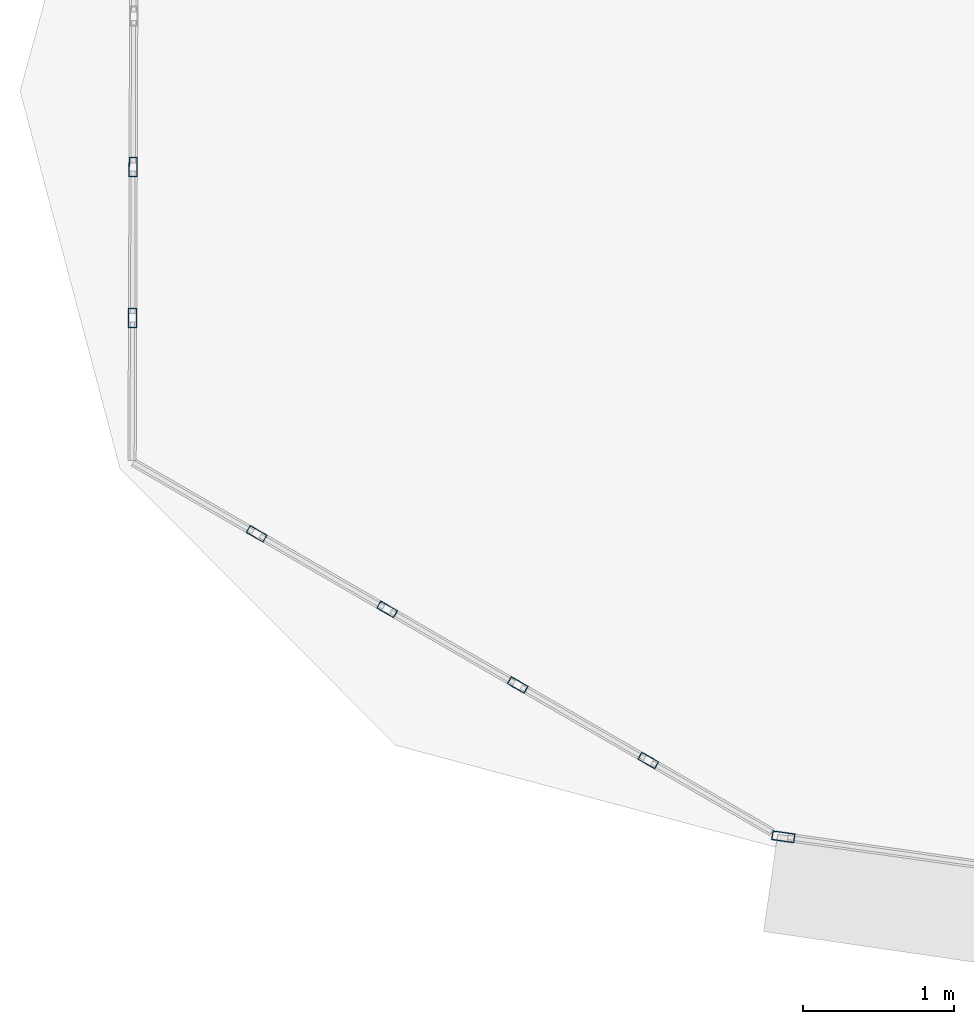
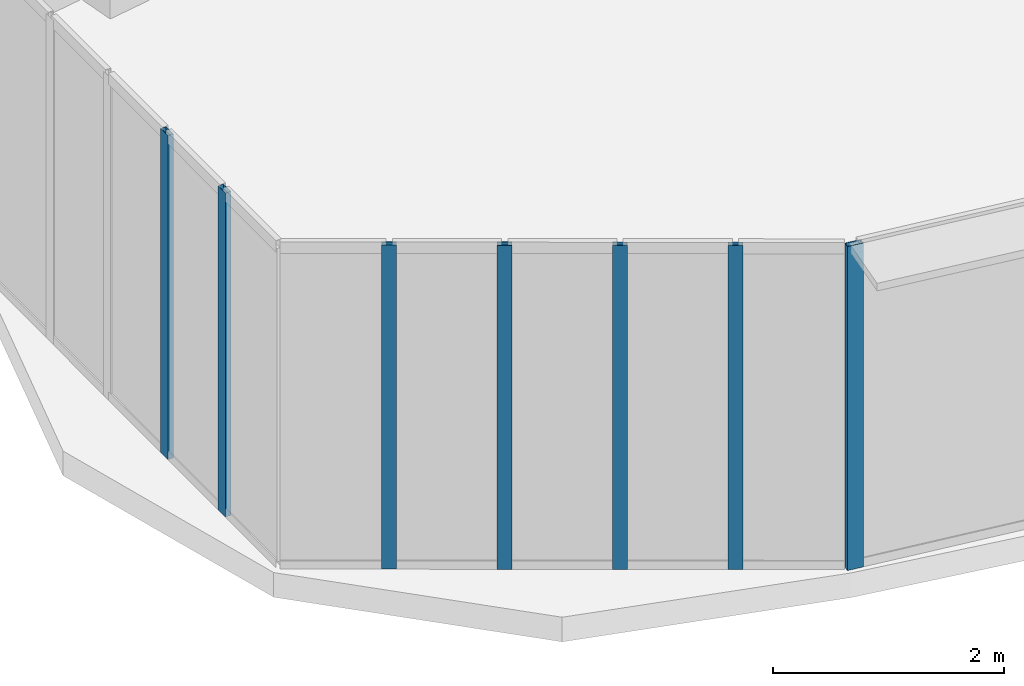
# One storey, part 2 of 42: 7 members, 3 elements without a shape of their own.
"""IFC4 building model written with IfcOpenShell, lengths in metres."""

import ifcopenshell
import ifcopenshell.guid

model = None  # the IFC model being written
_history = None  # IfcOwnerHistory: only IFC2X3 demands one
_inside = {}  # id of a spatial element -> (the spatial element, [elements in it])
_under = {}  # id of a project, library or spatial element -> (it, [spatial elements below it])
_declared = {}  # id of a project -> (the project, [libraries it declares])
_typed = {}  # id of a type object -> (the type object, [elements of that type])
_made_of = {}  # id of a material, layer set ... -> (it, [elements and type objects made of it])


def new_model(schema):
    """Start an empty IFC model of exactly this schema.

    Asked for "IFC4X3", IfcOpenShell would pick the latest addendum, in which some entities
    have other attributes; the version numbers below select the first issue.
    IFC2X3 requires an IfcOwnerHistory on every rooted entity: one is made here for all.
    """
    global model, _history
    if schema == "IFC4X3":
        model = ifcopenshell.file(schema_version=(4, 3, 0, 0))
    else:
        model = ifcopenshell.file(schema=schema)
    _inside.clear()
    _under.clear()
    _declared.clear()
    _typed.clear()
    _made_of.clear()
    _history = None
    if model.schema == "IFC2X3":
        org = make("IfcOrganization", Name="unknown")
        user = make(
            "IfcPersonAndOrganization",
            ThePerson=make("IfcPerson", FamilyName="unknown"),
            TheOrganization=org,
        )
        app = make(
            "IfcApplication",
            ApplicationDeveloper=org,
            Version="unknown",
            ApplicationFullName="unknown",
            ApplicationIdentifier="unknown",
        )
        _history = make(
            "IfcOwnerHistory",
            OwningUser=user,
            OwningApplication=app,
            ChangeAction="ADDED",
            CreationDate=0,
        )
    return model


def make(cls, **values):
    """One entity of the class cls with the attributes given. An attribute that is None is left unset."""
    return model.create_entity(
        cls, **{name: value for name, value in values.items() if value is not None}
    )


def rooted(cls, **values):
    """An entity with a GlobalId (a new one), such as an element, a storey or a relation."""
    return make(cls, GlobalId=ifcopenshell.guid.new(), OwnerHistory=_history, **values)


def si_unit(unit_type, name, prefix=None):
    """IfcSIUnit, for example si_unit("LENGTHUNIT", "METRE", prefix="MILLI")."""
    return make("IfcSIUnit", UnitType=unit_type, Prefix=prefix, Name=name)


def assignment(units):
    """IfcUnitAssignment: the units of a project."""
    return None if units is None else make("IfcUnitAssignment", Units=units)


def point(xyz):
    """IfcCartesianPoint."""
    return None if xyz is None else make("IfcCartesianPoint", Coordinates=xyz)


def direction(xyz):
    """IfcDirection."""
    return None if xyz is None else make("IfcDirection", DirectionRatios=xyz)


def frame(location, z_axis=None, x_axis=None):
    """IfcAxis2Placement3D, a coordinate frame: its origin and axes. An axis left out is left unset."""
    return make(
        "IfcAxis2Placement3D",
        Location=point(location),
        Axis=direction(z_axis),
        RefDirection=direction(x_axis),
    )


def frame_2d(location, x_axis=None):
    """IfcAxis2Placement2D, a coordinate frame in the plane: its origin and x axis."""
    return make(
        "IfcAxis2Placement2D", Location=point(location), RefDirection=direction(x_axis)
    )


def origin():
    """The frame at (0, 0, 0) with its axes left unset."""
    return frame((0.0, 0.0, 0.0))


def origin_2d():
    """The frame at (0, 0) in the plane with its x axis left unset."""
    return frame_2d((0.0, 0.0))


def place(relative_to, where):
    """IfcLocalPlacement: puts the frame where relative to a parent placement (None: the world)."""
    return make(
        "IfcLocalPlacement", PlacementRelTo=relative_to, RelativePlacement=where
    )


def context(
    kind, dimensions, precision=None, world=None, true_north=None, identifier=None
):
    """IfcGeometricRepresentationContext, for example the 3D "Model" context."""
    return make(
        "IfcGeometricRepresentationContext",
        ContextIdentifier=identifier,
        ContextType=kind,
        CoordinateSpaceDimension=dimensions,
        Precision=precision,
        WorldCoordinateSystem=world,
        TrueNorth=true_north,
    )


def subcontext(parent, identifier, kind, view, scale=None):
    """IfcGeometricRepresentationSubContext, for example "Body" below "Model"."""
    return make(
        "IfcGeometricRepresentationSubContext",
        ContextIdentifier=identifier,
        ContextType=kind,
        ParentContext=parent,
        TargetScale=scale,
        TargetView=view,
    )


def project(units=None, contexts=None):
    """IfcProject with its units and contexts."""
    return rooted(
        "IfcProject",
        Name="project",
        RepresentationContexts=contexts,
        UnitsInContext=assignment(units),
    )


def spatial(cls, under=None, at=None, **own):
    """A site, building, storey or space (cls), placed at a placement, below another one or the project."""
    s = rooted(cls, ObjectPlacement=at, **own)
    if under is not None:
        _under.setdefault(under.id(), (under, []))[1].append(s)
    return s


def profile(cls, at=None, kind="AREA", **sizes):
    """A parametric profile (cls). Its sizes go by their IFC names, for example OverallWidth=200.0."""
    return make(cls, ProfileType=kind, Position=at, **sizes)


def hollow_rectangle(**sizes):
    """IfcRectangleHollowProfileDef."""
    return profile("IfcRectangleHollowProfileDef", **sizes)


def extrude(swept, where, along, depth):
    """IfcExtrudedAreaSolid: the profile swept, set in the frame where, extruded along a direction by depth."""
    return make(
        "IfcExtrudedAreaSolid",
        SweptArea=swept,
        Position=where,
        ExtrudedDirection=direction(along),
        Depth=depth,
    )


def shape(context_of_items, identifier, shape_type, items):
    """IfcShapeRepresentation: the items that make up one representation, for example the "Body"."""
    return make(
        "IfcShapeRepresentation",
        ContextOfItems=context_of_items,
        RepresentationIdentifier=identifier,
        RepresentationType=shape_type,
        Items=items,
    )


def source(mapping_origin, context_of_items, identifier, shape_type, items):
    """IfcRepresentationMap: a shape defined once, which mapped items show again and again."""
    return make(
        "IfcRepresentationMap",
        MappingOrigin=mapping_origin,
        MappedRepresentation=shape(context_of_items, identifier, shape_type, items),
    )


def transform(
    local_origin,
    x_axis=None,
    y_axis=None,
    z_axis=None,
    scale=None,
    scale2=None,
    scale3=None,
    uniform=True,
):
    """IfcCartesianTransformationOperator3D, or its non-uniform kind. x_axis, y_axis, z_axis: its Axis1, 2, 3."""
    if uniform:
        return make(
            "IfcCartesianTransformationOperator3D",
            Axis1=direction(x_axis),
            Axis2=direction(y_axis),
            LocalOrigin=point(local_origin),
            Scale=scale,
            Axis3=direction(z_axis),
        )
    return make(
        "IfcCartesianTransformationOperator3DnonUniform",
        Axis1=direction(x_axis),
        Axis2=direction(y_axis),
        LocalOrigin=point(local_origin),
        Scale=scale,
        Axis3=direction(z_axis),
        Scale2=scale2,
        Scale3=scale3,
    )


def mapped(mapping_source, mapping_target):
    """IfcMappedItem: shows the shape of a source again, moved by a transform."""
    return make(
        "IfcMappedItem", MappingSource=mapping_source, MappingTarget=mapping_target
    )


def material(Name=None, Category=None):
    """IfcMaterial."""
    return make("IfcMaterial", Name=Name, Category=Category)


def layer(
    of_material, thickness, ventilated=None, Name=None, Category=None, Priority=None
):
    """IfcMaterialLayer: one layer of a wall or slab, of a material (None: an air gap)."""
    return make(
        "IfcMaterialLayer",
        Material=of_material,
        LayerThickness=thickness,
        IsVentilated=ventilated,
        Name=Name,
        Category=Category,
        Priority=Priority,
    )


def layer_set(layers, Name=None):
    """IfcMaterialLayerSet."""
    return make("IfcMaterialLayerSet", MaterialLayers=layers, LayerSetName=Name)


def material_profile(
    of_material, cross_section, Name=None, Category=None, Priority=None
):
    """IfcMaterialProfile: a cross section and its material."""
    return make(
        "IfcMaterialProfile",
        Name=Name,
        Material=of_material,
        Profile=cross_section,
        Priority=Priority,
        Category=Category,
    )


def profile_set(profiles, Name=None, composite=None):
    """IfcMaterialProfileSet."""
    return make(
        "IfcMaterialProfileSet",
        Name=Name,
        MaterialProfiles=profiles,
        CompositeProfile=composite,
    )


def made_of(thing, what):
    """Note that an element or type object is made of a material, layer set ...; save() writes the relation."""
    if what is not None:
        _made_of.setdefault(what.id(), (what, []))[1].append(thing)
    return thing


def type_object(cls, material=None, **own):
    """A type object (cls), such as IfcWallType, which elements share."""
    return made_of(rooted(cls, **own), material)


def element(
    cls,
    number,
    at=None,
    inside=None,
    cuts=None,
    type_object=None,
    material=None,
    context=None,
    identifier="Body",
    shape_type=None,
    held_by="IfcProductDefinitionShape",
    body=None,
    shapes=None,
    **own,
):
    """One element of the class cls, such as IfcWall. Its Tag is "e" and its number.

    at: its placement. inside: the storey or other place that contains it. cuts: it is an
    opening in that element (IfcRelVoidsElement). A single representation is given by context,
    identifier, shape_type and body (its items); several are given by shapes. held_by: the class
    of the entity that holds the representations. save() writes the other relations.
    """
    e = rooted(cls, Tag="e%d" % number, ObjectPlacement=at, **own)
    if body is not None:
        shapes = [shape(context, identifier, shape_type, body)]
    if shapes is not None:
        e.Representation = make(held_by, Representations=shapes)
    if inside is not None:
        _inside.setdefault(inside.id(), (inside, []))[1].append(e)
    if cuts is not None:
        rooted(
            "IfcRelVoidsElement", RelatingBuildingElement=cuts, RelatedOpeningElement=e
        )
    if type_object is not None:
        _typed.setdefault(type_object.id(), (type_object, []))[1].append(e)
    return made_of(e, material)


def aggregate(whole, parts):
    """IfcRelAggregates: a whole, such as a stair, and the parts it consists of."""
    return rooted("IfcRelAggregates", RelatingObject=whole, RelatedObjects=parts)


def save(model, path):
    """Write the relations noted so far, then the file.

    IfcRelAggregates (storeys below a building ...), IfcRelContainedInSpatialStructure (elements
    in a storey), IfcRelDefinesByType, IfcRelAssociatesMaterial and IfcRelDeclares: one each for
    every whole, place, type object, material and project.
    """
    for whole, parts in _under.values():
        aggregate(whole, parts)
    for where, things in _inside.values():
        rooted(
            "IfcRelContainedInSpatialStructure",
            RelatedElements=things,
            RelatingStructure=where,
        )
    for kind, things in _typed.values():
        rooted("IfcRelDefinesByType", RelatedObjects=things, RelatingType=kind)
    for what, things in _made_of.values():
        rooted("IfcRelAssociatesMaterial", RelatedObjects=things, RelatingMaterial=what)
    for by, libraries in _declared.values():
        rooted("IfcRelDeclares", RelatingContext=by, RelatedDefinitions=libraries)
    model.write(path)


model = new_model("IFC4")

# Units and contexts
model_context = context("Model", 3, precision=1e-05, world=origin(), true_north=direction((0.0, 1.0)))
body_context = subcontext(model_context, "Body", "Model", "MODEL_VIEW")
ifc_project = project(units=[si_unit("LENGTHUNIT", "METRE"), si_unit("AREAUNIT", "SQUARE_METRE"), si_unit("VOLUMEUNIT", "CUBIC_METRE"), si_unit("PLANEANGLEUNIT", "RADIAN"), si_unit("MASSUNIT", "GRAM", prefix="KILO"), si_unit("THERMODYNAMICTEMPERATUREUNIT", "KELVIN"), si_unit("POWERUNIT", "WATT")], contexts=[model_context])

# Site, building, storey
site_placement = place(None, origin())
site = spatial("IfcSite", under=ifc_project, at=site_placement, CompositionType="ELEMENT")
building_placement = place(site_placement, origin())
building = spatial("IfcBuilding", under=site, at=building_placement, Name="Yunzhuo Pagoda Commons", CompositionType="ELEMENT")
storey_placement = place(building_placement, frame((0.0, 0.0, 133.510009765625)))
storey = spatial("IfcBuildingStorey", under=building, at=storey_placement, Name="L33", CompositionType="ELEMENT", Elevation=133.510009765625)

# Curtain wall, member
ifc_material = material(Name="Anodized aluminium 6063-T6", Category="aluminium")
ifc_layer_1 = layer(ifc_material, 0.14990234375)
ifc_layer_set_1 = layer_set([ifc_layer_1], Name="Anodized aluminium 6063-T6")
curtain_wall_type_1 = type_object("IfcCurtainWallType", Name="CW-MID Mid-Zone Ribbon Curtain Wall", PredefinedType="NOTDEFINED", material=ifc_layer_set_1)
curtain_wall_1_placement = place(storey_placement, origin())
curtain_wall_1 = element("IfcCurtainWall", 1, at=curtain_wall_1_placement, inside=storey, type_object=curtain_wall_type_1, Name="L33 curtain wall CW-L33-F1B1", PredefinedType="NOTDEFINED")
ifc_material_profile_1 = material_profile(ifc_material, hollow_rectangle(XDim=0.06005859375, YDim=0.14990234375, WallThickness=0.00390625, at=origin_2d()), Name="Anodized aluminium 6063-T6")
ifc_profile_set_1 = profile_set([ifc_material_profile_1], Name="Anodized aluminium 6063-T6")
member_type_1 = type_object("IfcMemberType", Name="CW-MID-M Mullion RHS 150x60x4", PredefinedType="MULLION", material=ifc_profile_set_1)
shared_shape_1 = source(origin(), body_context, "Body", "SweptSolid", [
    extrude(hollow_rectangle(XDim=0.06005859375, YDim=0.14990234375, WallThickness=0.00390625, at=origin_2d()), origin(), (0.0, 0.0, 1.0), 3.419921875),
])
member_1_placement = place(storey_placement, frame((12.0576171875, 16.254638671875, 0.0), z_axis=(0.0, 0.0, 1.0), x_axis=(0.140026939768, 0.990147694104, 0.0)))
member_1 = element("IfcMember", 2, at=member_1_placement, type_object=member_type_1, Name="CW mullion 1", PredefinedType="MULLION", context=body_context, shape_type="MappedRepresentation", body=[
    mapped(shared_shape_1, transform((0.0, 0.0, 0.0), scale=1.0)),
])
aggregate(curtain_wall_1, [member_1])

# Curtain wall, members
ifc_layer_2 = layer(ifc_material, 0.1298828125)
ifc_layer_set_2 = layer_set([ifc_layer_2], Name="Anodized aluminium 6063-T6")
curtain_wall_type_2 = type_object("IfcCurtainWallType", Name="CW-VTX Rounded Corner Curtain Wall", PredefinedType="NOTDEFINED", material=ifc_layer_set_2)
curtain_wall_2_placement = place(storey_placement, origin())
curtain_wall_2 = element("IfcCurtainWall", 3, at=curtain_wall_2_placement, inside=storey, type_object=curtain_wall_type_2, Name="L33 curtain wall CW-L33-VTX1S1", PredefinedType="NOTDEFINED")
ifc_material_profile_2 = material_profile(ifc_material, hollow_rectangle(XDim=0.054931640625, YDim=0.1298828125, WallThickness=0.00341796875, at=origin_2d()), Name="Anodized aluminium 6063-T6")
ifc_profile_set_2 = profile_set([ifc_material_profile_2], Name="Anodized aluminium 6063-T6")
member_type_2 = type_object("IfcMemberType", Name="CW-VTX-M Mullion RHS 130x55x3.5", PredefinedType="MULLION", material=ifc_profile_set_2)
shared_shape_2 = source(origin(), body_context, "Body", "SweptSolid", [
    extrude(hollow_rectangle(XDim=0.054931640625, YDim=0.1298828125, WallThickness=0.00341796875, at=origin_2d()), origin(), (0.0, 0.0, 1.0), 3.419921875),
])
member_2_placement = place(storey_placement, frame((7.755859375, 20.686279296875, 0.0), z_axis=(0.0, 0.0, 1.0), x_axis=(0.999993568215, -0.003586576275, 0.0)))
member_2 = element("IfcMember", 4, at=member_2_placement, type_object=member_type_2, Name="CW mullion 4", PredefinedType="MULLION", context=body_context, shape_type="MappedRepresentation", body=[
    mapped(shared_shape_2, transform((0.0, 0.0, 0.0), scale=1.0)),
])
member_3_placement = place(storey_placement, frame((7.752197265625, 19.68798828125, 0.0), z_axis=(0.0, 0.0, 1.0), x_axis=(0.999993568215, -0.003586576275, 0.0)))
member_3 = element("IfcMember", 5, at=member_3_placement, type_object=member_type_2, Name="CW mullion 5", PredefinedType="MULLION", context=body_context, shape_type="MappedRepresentation", body=[
    mapped(shared_shape_2, transform((0.0, 0.0, 0.0), scale=1.0)),
])
aggregate(curtain_wall_2, [member_2, member_3])

curtain_wall_3_placement = place(storey_placement, origin())
curtain_wall_3 = element("IfcCurtainWall", 6, at=curtain_wall_3_placement, inside=storey, type_object=curtain_wall_type_2, Name="L33 curtain wall CW-L33-VTX1S2", PredefinedType="NOTDEFINED")
member_4_placement = place(storey_placement, frame((8.57275390625, 18.25927734375, 0.0), z_axis=(0.0, 0.0, 1.0), x_axis=(0.501037850191, 0.865425370946, 0.0)))
member_4 = element("IfcMember", 7, at=member_4_placement, type_object=member_type_2, Name="CW mullion 2", PredefinedType="MULLION", context=body_context, shape_type="MappedRepresentation", body=[
    mapped(shared_shape_2, transform((0.0, 0.0, 0.0), scale=1.0)),
])
member_5_placement = place(storey_placement, frame((9.4365234375, 17.75927734375, 0.0), z_axis=(0.0, 0.0, 1.0), x_axis=(0.501037850191, 0.865425370946, 0.0)))
member_5 = element("IfcMember", 8, at=member_5_placement, type_object=member_type_2, Name="CW mullion 3", PredefinedType="MULLION", context=body_context, shape_type="MappedRepresentation", body=[
    mapped(shared_shape_2, transform((0.0, 0.0, 0.0), scale=1.0)),
])
member_6_placement = place(storey_placement, frame((10.30029296875, 17.259033203125, 0.0), z_axis=(0.0, 0.0, 1.0), x_axis=(0.501037850191, 0.865425370946, 0.0)))
member_6 = element("IfcMember", 9, at=member_6_placement, type_object=member_type_2, Name="CW mullion 4", PredefinedType="MULLION", context=body_context, shape_type="MappedRepresentation", body=[
    mapped(shared_shape_2, transform((0.0, 0.0, 0.0), scale=1.0)),
])
member_7_placement = place(storey_placement, frame((11.164306640625, 16.759033203125, 0.0), z_axis=(0.0, 0.0, 1.0), x_axis=(0.501037850191, 0.865425370946, 0.0)))
member_7 = element("IfcMember", 10, at=member_7_placement, type_object=member_type_2, Name="CW mullion 5", PredefinedType="MULLION", context=body_context, shape_type="MappedRepresentation", body=[
    mapped(shared_shape_2, transform((0.0, 0.0, 0.0), scale=1.0)),
])
aggregate(curtain_wall_3, [member_4, member_5, member_6, member_7])

save(model, "model.ifc")
